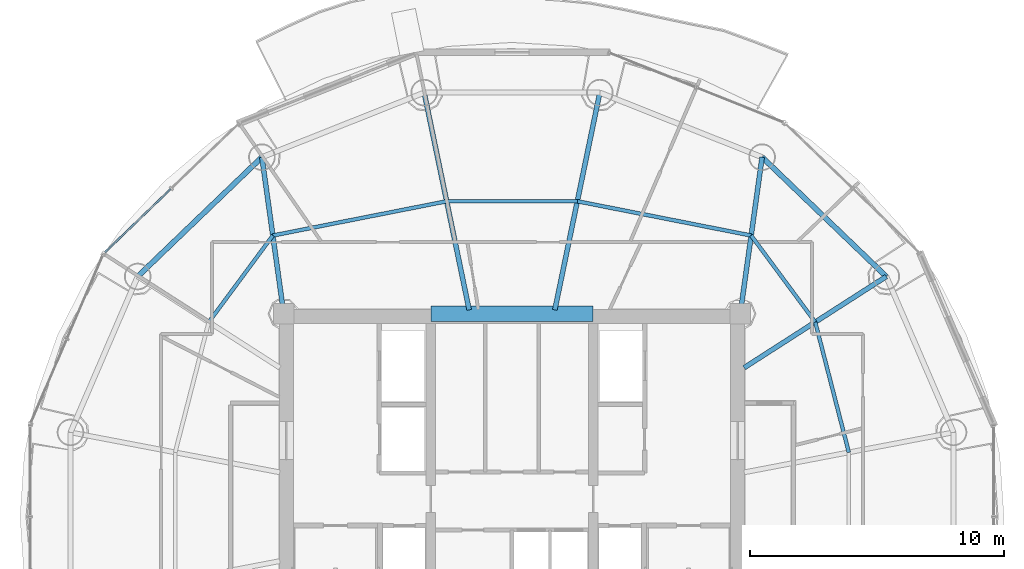
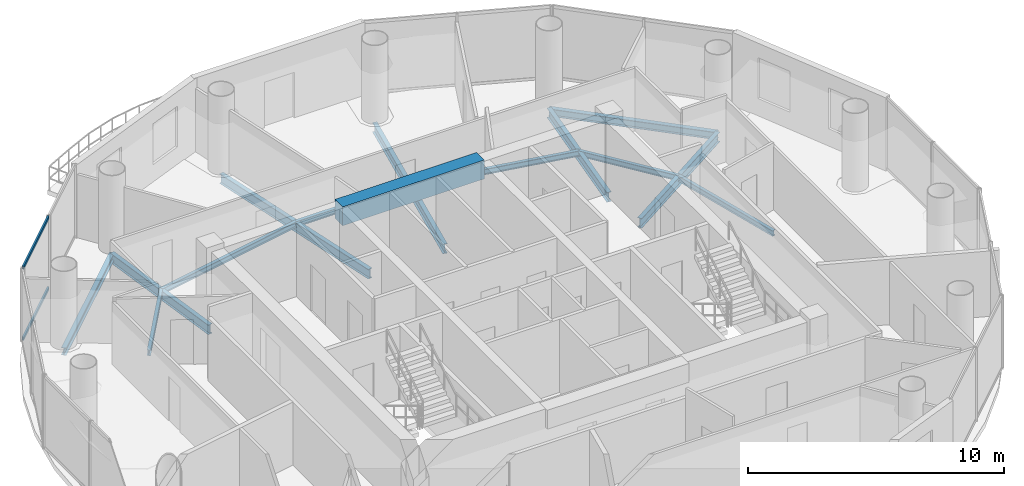
# One storey, part 9 of 23: 14 beams, 2 members, 1 element without a shape of its own.
"""IFC4 building model written with IfcOpenShell, lengths in metres."""

from ifc_helpers import new_model, si_unit, direction, frame, origin, origin_2d, place, context, subcontext, project, spatial, rectangle, hollow_rectangle, i_section, extrude, source, transform, mapped, material, material_profile, profile_set, type_object, element, aggregate, save


model = new_model("IFC4")

# Units and contexts
model_context = context("Model", 3, precision=1e-05, world=origin(), true_north=direction((-0.2419218956, 0.970295726276)))
body_context = subcontext(model_context, "Body", "Model", "MODEL_VIEW")
ifc_project = project(units=[si_unit("LENGTHUNIT", "METRE"), si_unit("AREAUNIT", "SQUARE_METRE"), si_unit("VOLUMEUNIT", "CUBIC_METRE"), si_unit("PLANEANGLEUNIT", "RADIAN"), si_unit("MASSUNIT", "GRAM", prefix="KILO")], contexts=[model_context])

# Site, building, storey
site_placement = place(None, origin())
site = spatial("IfcSite", under=ifc_project, at=site_placement, CompositionType="ELEMENT")
building_placement = place(site_placement, origin())
building = spatial("IfcBuilding", under=site, at=building_placement, Name="Cobrevalo Terracotta Tower", CompositionType="ELEMENT")
storey_placement = place(building_placement, frame((0.0, 0.0, 255.699951171875)))
storey = spatial("IfcBuildingStorey", under=building, at=storey_placement, Name="L67", CompositionType="ELEMENT", Elevation=255.699951171875)

# Beams
ifc_material_1 = material(Name="Concrete C60", Category="concrete")
ifc_material_profile_1 = material_profile(ifc_material_1, rectangle(XDim=0.60009765625, YDim=0.89990234375, at=origin_2d()), Name="RC CB 600x900")
ifc_profile_set_1 = profile_set([ifc_material_profile_1], Name="Concrete C60")
beam_type_1 = type_object("IfcBeamType", Name="Structural Beam RC CB 600x900 (Concrete C60)", PredefinedType="BEAM", material=ifc_profile_set_1)
beam_1_placement = place(storey_placement, frame((34.800048828125, 34.800048828125, 3.0400390625), z_axis=(1.0, 0.0, 0.0), x_axis=(0.0, 1.0, 0.0)))
element("IfcBeam", 1, at=beam_1_placement, inside=storey, type_object=beam_type_1, Name="L67 core coupling beam 2", PredefinedType="BEAM", context=body_context, shape_type="SweptSolid", body=[
    extrude(rectangle(XDim=0.60009765625, YDim=0.89990234375, at=origin_2d()), origin(), (0.0, 0.0, 1.0), 6.39990234375),
])
ifc_material_2 = material(Name="Steel S355", Category="steel")
ifc_material_profile_2 = material_profile(ifc_material_2, i_section(OverallWidth=0.19091796875, OverallDepth=0.4599609375, WebThickness=0.010009765625, FlangeThickness=0.01611328125, at=origin_2d()), Name="W 460x82")
ifc_profile_set_2 = profile_set([ifc_material_profile_2], Name="Steel S355")
beam_type_2 = type_object("IfcBeamType", Name="Structural Beam W 460x82 (Steel S355)", PredefinedType="BEAM", material=ifc_profile_set_2)
beam_2_placement = place(storey_placement, frame((52.758544921875, 36.2724609375, -0.489990234375), z_axis=(-0.84157615512, -0.540138477739, 0.0), x_axis=(0.540138477739, -0.84157615512, 0.0)))
element("IfcBeam", 2, at=beam_2_placement, inside=storey, type_object=beam_type_2, Name="L67 radial floor girder 02", PredefinedType="BEAM", context=body_context, shape_type="SweptSolid", body=[
    extrude(i_section(OverallWidth=0.19091796875, OverallDepth=0.4599609375, WebThickness=0.010009765625, FlangeThickness=0.01611328125, at=origin_2d()), origin(), (0.0, 0.0, 1.0), 6.658447265625),
])
beam_3_placement = place(storey_placement, frame((47.861328125, 40.9765625, -0.489990234375), z_axis=(-0.138115657759, -0.990416107039, 0.0), x_axis=(0.990416107039, -0.138115657759, 0.0)))
element("IfcBeam", 3, at=beam_3_placement, inside=storey, type_object=beam_type_2, Name="L67 radial floor girder 03", PredefinedType="BEAM", context=body_context, shape_type="SweptSolid", body=[
    extrude(i_section(OverallWidth=0.19091796875, OverallDepth=0.4599609375, WebThickness=0.010009765625, FlangeThickness=0.01611328125, at=origin_2d()), origin(), (0.0, 0.0, 1.0), 6.236328125),
])
for number, where, z_axis, x_axis, name in (
    (4, (41.462890625, 43.5224609375, -0.489990234375), (-0.202781841237, -0.9792239401, 0.0), (0.9792239401, -0.202781841237, 0.0), "L67 radial floor girder 04"),
    (5, (34.537109375, 43.5224609375, -0.489990234375), (0.202781841237, -0.9792239401, 0.0), (0.9792239401, 0.202781841237, 0.0), "L67 radial floor girder 05"),
):
    element("IfcBeam", number, at=place(storey_placement, frame(where, z_axis=z_axis, x_axis=x_axis)), inside=storey, type_object=beam_type_2, Name=name, PredefinedType="BEAM", context=body_context, shape_type="SweptSolid", body=[
        extrude(i_section(OverallWidth=0.19091796875, OverallDepth=0.4599609375, WebThickness=0.010009765625, FlangeThickness=0.01611328125, at=origin_2d()), origin(), (0.0, 0.0, 1.0), 8.749267578125),
    ])
beam_4_placement = place(storey_placement, frame((28.138671875, 40.9765625, -0.489990234375), z_axis=(0.138115657759, -0.990416107039, 0.0), x_axis=(0.990416107039, 0.138115657759, 0.0)))
element("IfcBeam", 6, at=beam_4_placement, inside=storey, type_object=beam_type_2, Name="L67 radial floor girder 06", PredefinedType="BEAM", context=body_context, shape_type="SweptSolid", body=[
    extrude(i_section(OverallWidth=0.19091796875, OverallDepth=0.4599609375, WebThickness=0.010009765625, FlangeThickness=0.01611328125, at=origin_2d()), origin(), (0.0, 0.0, 1.0), 6.236328125),
])
ifc_material_profile_3 = material_profile(ifc_material_2, i_section(OverallWidth=0.14794921875, OverallDepth=0.26611328125, WebThickness=0.007568359375, FlangeThickness=0.012939453125, at=origin_2d()), Name="W 250x44.8")
ifc_profile_set_3 = profile_set([ifc_material_profile_3], Name="Steel S355")
beam_type_3 = type_object("IfcBeamType", Name="Structural Joist W 250x44.8 (Steel S355)", PredefinedType="JOIST", material=ifc_profile_set_3)
beam_5_placement = place(storey_placement, frame((51.281982421875, 29.337646484375, -0.39306640625), z_axis=(-0.249816773293, 0.968293126993, 0.0), x_axis=(-0.968293126993, -0.249816773293, 0.0)))
element("IfcBeam", 7, at=beam_5_placement, inside=storey, type_object=beam_type_3, Name="L67 circumferential secondary floor joist 01", PredefinedType="JOIST", context=body_context, shape_type="SweptSolid", body=[
    extrude(i_section(OverallWidth=0.14794921875, OverallDepth=0.26611328125, WebThickness=0.007568359375, FlangeThickness=0.012939453125, at=origin_2d()), origin(), (0.0, 0.0, 1.0), 5.3046875),
])
beam_6_placement = place(storey_placement, frame((49.956787109375, 34.47412109375, -0.39306640625), z_axis=(-0.594799916617, 0.803873783123, 0.0), x_axis=(-0.803873783123, -0.594799916617, 0.0)))
element("IfcBeam", 8, at=beam_6_placement, inside=storey, type_object=beam_type_3, Name="L67 circumferential secondary floor joist 02", PredefinedType="JOIST", context=body_context, shape_type="SweptSolid", body=[
    extrude(i_section(OverallWidth=0.14794921875, OverallDepth=0.26611328125, WebThickness=0.007568359375, FlangeThickness=0.012939453125, at=origin_2d()), origin(), (0.0, 0.0, 1.0), 4.2470703125),
])
beam_7_placement = place(storey_placement, frame((47.4306640625, 37.88818359375, -0.39306640625), z_axis=(-0.98113843359, 0.19330642548, 0.0), x_axis=(-0.19330642548, -0.98113843359, 0.0)))
element("IfcBeam", 9, at=beam_7_placement, inside=storey, type_object=beam_type_3, Name="L67 circumferential secondary floor joist 03", PredefinedType="JOIST", context=body_context, shape_type="SweptSolid", body=[
    extrude(i_section(OverallWidth=0.14794921875, OverallDepth=0.26611328125, WebThickness=0.007568359375, FlangeThickness=0.012939453125, at=origin_2d()), origin(), (0.0, 0.0, 1.0), 6.98681640625),
])
beam_8_placement = place(storey_placement, frame((40.57568359375, 39.23876953125, -0.39306640625), z_axis=(-1.0, 0.0, 0.0), x_axis=(0.0, -1.0, 0.0)))
element("IfcBeam", 10, at=beam_8_placement, inside=storey, type_object=beam_type_3, Name="L67 circumferential secondary floor joist 04", PredefinedType="JOIST", context=body_context, shape_type="SweptSolid", body=[
    extrude(i_section(OverallWidth=0.14794921875, OverallDepth=0.26611328125, WebThickness=0.007568359375, FlangeThickness=0.012939453125, at=origin_2d()), origin(), (0.0, 0.0, 1.0), 5.1513671875),
])
beam_9_placement = place(storey_placement, frame((35.42431640625, 39.23876953125, -0.39306640625), z_axis=(-0.98113843359, -0.19330642548, 0.0), x_axis=(0.19330642548, -0.98113843359, 0.0)))
element("IfcBeam", 11, at=beam_9_placement, inside=storey, type_object=beam_type_3, Name="L67 circumferential secondary floor joist 05", PredefinedType="JOIST", context=body_context, shape_type="SweptSolid", body=[
    extrude(i_section(OverallWidth=0.14794921875, OverallDepth=0.26611328125, WebThickness=0.007568359375, FlangeThickness=0.012939453125, at=origin_2d()), origin(), (0.0, 0.0, 1.0), 6.98681640625),
])
beam_10_placement = place(storey_placement, frame((28.5693359375, 37.88818359375, -0.39306640625), z_axis=(-0.594799916617, -0.803873783123, 0.0), x_axis=(0.803873783123, -0.594799916617, 0.0)))
element("IfcBeam", 12, at=beam_10_placement, inside=storey, type_object=beam_type_3, Name="L67 circumferential secondary floor joist 06", PredefinedType="JOIST", context=body_context, shape_type="SweptSolid", body=[
    extrude(i_section(OverallWidth=0.14794921875, OverallDepth=0.26611328125, WebThickness=0.007568359375, FlangeThickness=0.012939453125, at=origin_2d()), origin(), (0.0, 0.0, 1.0), 4.2470703125),
])
ifc_material_profile_4 = material_profile(ifc_material_2, i_section(OverallWidth=0.205078125, OverallDepth=0.35400390625, WebThickness=0.009521484375, FlangeThickness=0.016845703125, at=origin_2d()), Name="W 360x79")
ifc_profile_set_4 = profile_set([ifc_material_profile_4], Name="Steel S355")
beam_type_4 = type_object("IfcBeamType", Name="Structural Spandrel W 360x79 (Steel S355)", PredefinedType="SPANDREL", material=ifc_profile_set_4)
for number, where, z_axis, x_axis, name in (
    (13, (52.758544921875, 36.2724609375, -0.43701171875), (-0.721183246144, 0.692744343522, 0.0), (-0.692744343522, -0.721183246144, 0.0), "L67 perimeter ring spandrel 02"),
    (14, (28.138671875, 40.9765625, -0.43701171875), (-0.721183246144, -0.692744343522, 0.0), (0.692744343522, -0.721183246144, 0.0), "L67 perimeter ring spandrel 06"),
):
    element("IfcBeam", number, at=place(storey_placement, frame(where, z_axis=z_axis, x_axis=x_axis)), inside=storey, type_object=beam_type_4, Name=name, PredefinedType="SPANDREL", context=body_context, shape_type="SweptSolid", body=[
        extrude(i_section(OverallWidth=0.205078125, OverallDepth=0.35400390625, WebThickness=0.009521484375, FlangeThickness=0.016845703125, at=origin_2d()), origin(), (0.0, 0.0, 1.0), 6.79052734375),
    ])

# Curtain wall, members
ifc_material_3 = material(Name="Anodized aluminium", Category="aluminium")
curtain_wall_type = type_object("IfcCurtainWallType", Name="Upper-tower triple-glazed penthouse curtain wall CW-U3", PredefinedType="NOTDEFINED", material=ifc_material_3)
curtain_wall_placement = place(storey_placement, origin())
curtain_wall = element("IfcCurtainWall", 15, at=curtain_wall_placement, inside=storey, type_object=curtain_wall_type, Name="L67 curtain wall CW-L67-S06", PredefinedType="NOTDEFINED")
ifc_material_profile_5 = material_profile(ifc_material_3, hollow_rectangle(XDim=0.074951171875, YDim=0.14990234375, WallThickness=0.00439453125, at=origin_2d()), Name="CWT 75x150")
ifc_profile_set_5 = profile_set([ifc_material_profile_5], Name="Anodized aluminium")
member_type = type_object("IfcMemberType", Name="Tower unitised aluminium transom 75x150", PredefinedType="USERDEFINED", material=ifc_profile_set_5)
shared_shape = source(origin(), body_context, "Body", "SweptSolid", [
    extrude(hollow_rectangle(XDim=0.074951171875, YDim=0.14990234375, WallThickness=0.00439453125, at=origin_2d()), origin(), (0.0, 0.0, 1.0), 3.59130859375),
])
member_1_placement = place(storey_placement, frame((24.537841796875, 39.72021484375, 0.050048828125), z_axis=(-0.720005628362, -0.693968223427, 0.0), x_axis=(0.693968223427, -0.720005628362, 0.0)))
member_1 = element("IfcMember", 16, at=member_1_placement, type_object=member_type, Name="CW-L67-S06 transom B02-T1", ObjectType="TRANSOM", PredefinedType="USERDEFINED", context=body_context, shape_type="MappedRepresentation", body=[
    mapped(shared_shape, transform((0.0, 0.0, 0.0), scale=1.0)),
])
member_2_placement = place(storey_placement, frame((24.537841796875, 39.72021484375, 3.43994140625), z_axis=(-0.720005628362, -0.693968223427, 0.0), x_axis=(0.693968223427, -0.720005628362, 0.0)))
member_2 = element("IfcMember", 17, at=member_2_placement, type_object=member_type, Name="CW-L67-S06 transom B02-T2", ObjectType="TRANSOM", PredefinedType="USERDEFINED", context=body_context, shape_type="MappedRepresentation", body=[
    mapped(shared_shape, transform((0.0, 0.0, 0.0), scale=1.0)),
])
aggregate(curtain_wall, [member_1, member_2])

save(model, "model.ifc")
